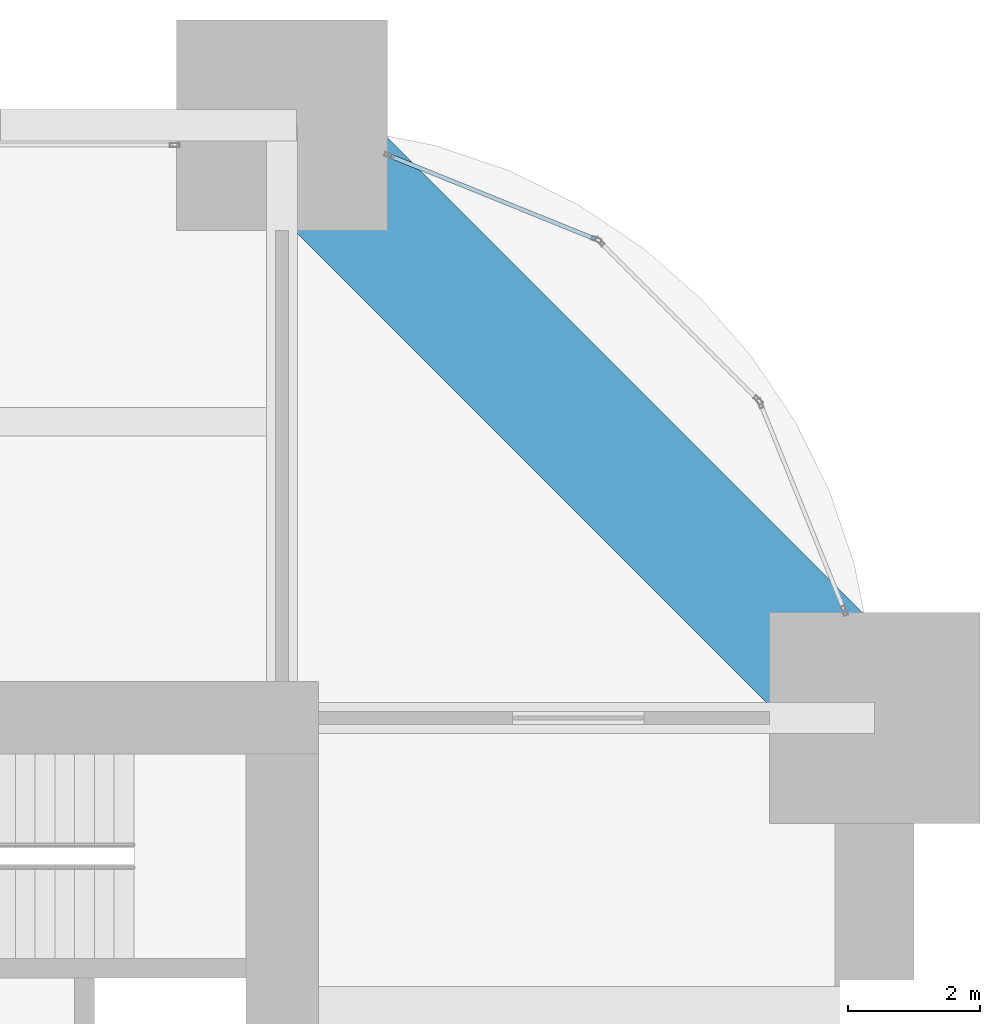
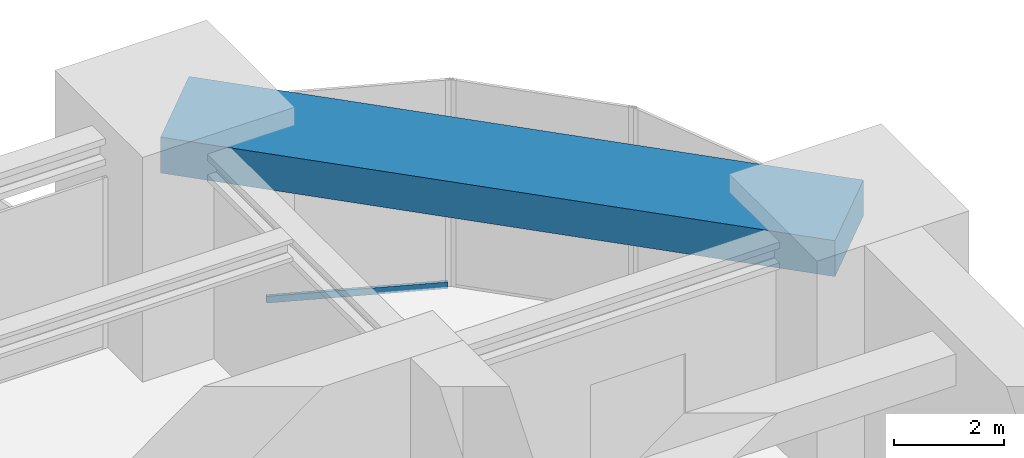
# One storey, part 27 of 32: 1 beam, 1 member, 1 element without a shape of its own.
"""IFC4 building model written with IfcOpenShell, lengths in metres."""

from ifc_helpers import new_model, si_unit, direction, frame, origin, origin_2d, place, context, subcontext, project, spatial, rectangle, hollow_rectangle, extrude, material, material_profile, profile_set, type_object, element, aggregate, save


model = new_model("IFC4")

# Units and contexts
model_context = context("Model", 3, precision=1e-05, world=origin(), true_north=direction((0.0, 1.0)))
body_context = subcontext(model_context, "Body", "Model", "MODEL_VIEW")
ifc_project = project(units=[si_unit("LENGTHUNIT", "METRE"), si_unit("AREAUNIT", "SQUARE_METRE"), si_unit("VOLUMEUNIT", "CUBIC_METRE"), si_unit("PLANEANGLEUNIT", "RADIAN"), si_unit("MASSUNIT", "GRAM", prefix="KILO")], contexts=[model_context])

# Site, building, storey
site_placement = place(None, origin())
site = spatial("IfcSite", under=ifc_project, at=site_placement, CompositionType="ELEMENT")
building_placement = place(site_placement, origin())
building = spatial("IfcBuilding", under=site, at=building_placement, Name="Zorevar Civic Tower", CompositionType="ELEMENT")
storey_placement = place(building_placement, frame((0.0, 0.0, 234.39990234375)))
storey = spatial("IfcBuildingStorey", under=building, at=storey_placement, Name="L57", CompositionType="ELEMENT", Elevation=234.39990234375)

# Curtain wall, member
ifc_material_1 = material(Name="Black aluminium louvres", Category="aluminium")
curtain_wall_type = type_object("IfcCurtainWallType", Name="Louvred curtain wall CW6 refuge", PredefinedType="NOTDEFINED", material=ifc_material_1)
curtain_wall_placement = place(storey_placement, origin())
curtain_wall = element("IfcCurtainWall", 1, at=curtain_wall_placement, inside=storey, type_object=curtain_wall_type, Name="CW6 L57", PredefinedType="NOTDEFINED")
ifc_material_2 = material(Name="Aluminium, black anodised", Category="aluminium")
ifc_material_profile_1 = material_profile(ifc_material_2, hollow_rectangle(XDim=0.06005859375, YDim=0.14990234375, WallThickness=0.00390625, at=origin_2d()), Name="AL 150x60x4")
ifc_profile_set_1 = profile_set([ifc_material_profile_1], Name="Aluminium, black anodised")
member_type = type_object("IfcMemberType", Name="CW6 transom AL 150x60x4", PredefinedType="USERDEFINED", material=ifc_profile_set_1)
member_placement = place(storey_placement, frame((49.750244140625, 43.274658203125, 0.030029296875), z_axis=(-0.92676265847, 0.375647407638, 0.0), x_axis=(-0.375647407638, -0.92676265847, 0.0)))
member = element("IfcMember", 2, at=member_placement, type_object=member_type, Name="CW6 sill transom", ObjectType="TRANSOM", PredefinedType="USERDEFINED", context=body_context, shape_type="SweptSolid", body=[
    extrude(hollow_rectangle(XDim=0.06005859375, YDim=0.14990234375, WallThickness=0.00390625, at=origin_2d()), origin(), (0.0, 0.0, 1.0), 3.33935546875),
])
aggregate(curtain_wall, [member])

# Beam
ifc_material_3 = material(Name="Concrete C50/60", Category="concrete")
ifc_material_profile_2 = material_profile(ifc_material_3, rectangle(XDim=2.0, YDim=0.800048828125, at=origin_2d()), Name="RC 2000x800")
ifc_profile_set_2 = profile_set([ifc_material_profile_2], Name="Concrete C50/60")
beam_type = type_object("IfcBeamType", Name="Edge beam RC 2000x800", PredefinedType="SPANDREL", material=ifc_profile_set_2)
beam_placement = place(storey_placement, frame((54.0, 36.0, 4.2001953125), z_axis=(-0.707106781187, 0.707106781187, 0.0), x_axis=(-0.707106781187, -0.707106781187, 0.0)))
element("IfcBeam", 3, at=beam_placement, inside=storey, type_object=beam_type, Name="Corner edge beam L58", PredefinedType="SPANDREL", context=body_context, shape_type="SweptSolid", body=[
    extrude(rectangle(XDim=2.0, YDim=0.800048828125, at=origin_2d()), origin(), (0.0, 0.0, 1.0), 12.72802734375),
])

save(model, "model.ifc")
